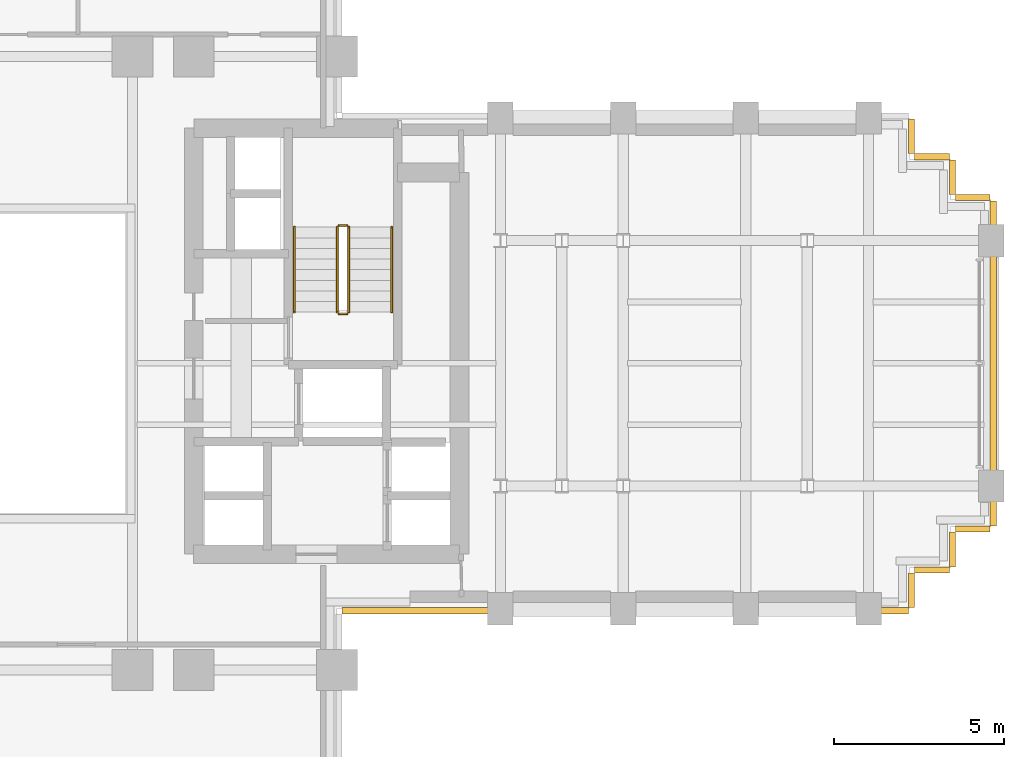
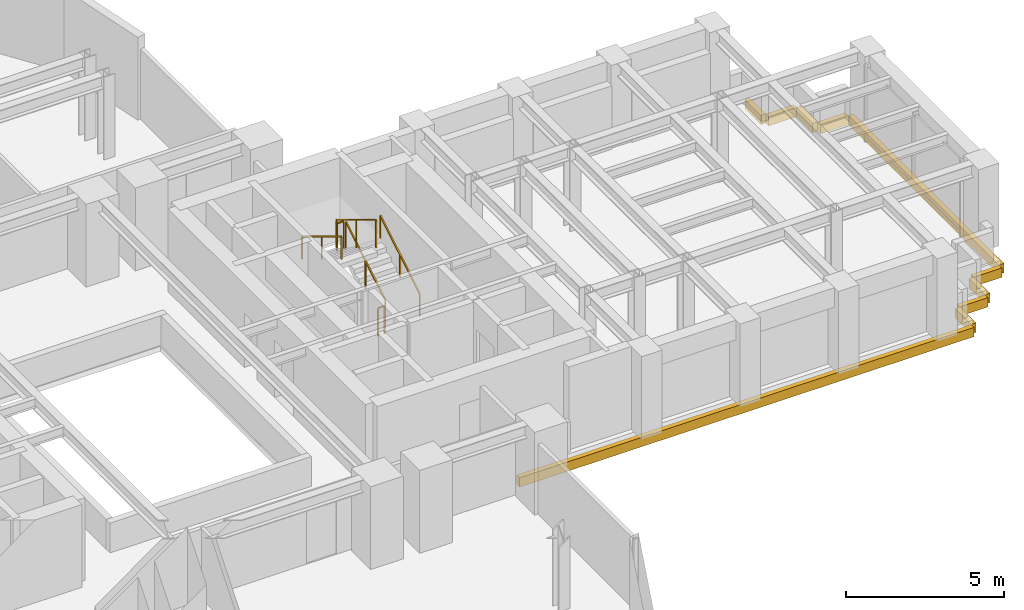
# One storey, part 15 of 16: 10 coverings, 6 railings.
"""IFC4 building model written with IfcOpenShell, lengths in metres."""

from ifc_helpers import new_model, si_unit, direction, frame, origin, origin_2d, place, context, subcontext, project, spatial, rectangle, extrude, source, transform, mapped, material, layer, layer_set, type_object, element, save


model = new_model("IFC4")

# Units and contexts
model_context = context("Model", 3, precision=1e-05, world=origin(), true_north=direction((0.0, 1.0)))
body_context = subcontext(model_context, "Body", "Model", "MODEL_VIEW")
ifc_project = project(units=[si_unit("LENGTHUNIT", "METRE"), si_unit("AREAUNIT", "SQUARE_METRE"), si_unit("VOLUMEUNIT", "CUBIC_METRE"), si_unit("PLANEANGLEUNIT", "RADIAN"), si_unit("MASSUNIT", "GRAM", prefix="KILO")], contexts=[model_context])

# Site, building, storey
site_placement = place(None, origin())
site = spatial("IfcSite", under=ifc_project, at=site_placement, CompositionType="ELEMENT")
building_placement = place(site_placement, origin())
building = spatial("IfcBuilding", under=site, at=building_placement, Name="Keilestroom Media Tower", CompositionType="ELEMENT")
storey_placement = place(building_placement, frame((0.0, 0.0, 34.0)))
storey = spatial("IfcBuildingStorey", under=building, at=storey_placement, Name="L07", CompositionType="ELEMENT", Elevation=34.0)

# Railings
ifc_material_1 = material(Name="Brushed Stainless Steel 1.4301", Category="steel")
railing_type_1 = type_object("IfcRailingType", Name="Stair-Pitch-Handrail-920", PredefinedType="HANDRAIL", material=ifc_material_1)
railing_1_placement = place(storey_placement, frame((11.2099609375, 1.5, 0.18896484375)))
element("IfcRailing", 1, at=railing_1_placement, inside=storey, type_object=railing_type_1, Name="L07 ST-2 stair handrail 1", PredefinedType="HANDRAIL", context=body_context, shape_type="SweptSolid", body=[
    extrude(rectangle(XDim=0.048095703125, YDim=0.048095703125, at=origin_2d()), frame((0.0, 0.0, 0.8759765625), z_axis=(0.0, 0.855470815493, 0.517851024754), x_axis=(-1.0, 0.0, 0.0)), (0.0, 0.0, 1.0), 2.917724609375),
    extrude(rectangle(XDim=0.0419921875, YDim=0.0419921875, at=origin_2d()), origin(), (0.0, 0.0, 1.0), 0.84375),
    extrude(rectangle(XDim=0.0419921875, YDim=0.0419921875, at=origin_2d()), frame((0.0, 1.248046875, 0.75537109375)), (0.0, 0.0, 1.0), 0.84375),
    extrude(rectangle(XDim=0.0419921875, YDim=0.0419921875, at=origin_2d()), frame((0.0, 2.49609375, 1.510986328125)), (0.0, 0.0, 1.0), 0.84375),
])
railing_2_placement = place(storey_placement, frame((8.35009765625, 3.99609375, 1.888916015625)))
element("IfcRailing", 2, at=railing_2_placement, inside=storey, type_object=railing_type_1, Name="L07 ST-2 stair handrail 2", PredefinedType="HANDRAIL", context=body_context, shape_type="SweptSolid", body=[
    extrude(rectangle(XDim=0.048095703125, YDim=0.048095703125, at=origin_2d()), frame((0.0, 0.0, 0.8759765625), z_axis=(0.0, -0.855470815493, 0.517851024754), x_axis=(1.0, 0.0, 0.0)), (0.0, 0.0, 1.0), 2.917724609375),
    extrude(rectangle(XDim=0.0419921875, YDim=0.0419921875, at=origin_2d()), origin(), (0.0, 0.0, 1.0), 0.84375),
    extrude(rectangle(XDim=0.0419921875, YDim=0.0419921875, at=origin_2d()), frame((0.0, -1.248046875, 0.75537109375)), (0.0, 0.0, 1.0), 0.84375),
    extrude(rectangle(XDim=0.0419921875, YDim=0.0419921875, at=origin_2d()), frame((0.0, -2.49609375, 1.510986328125)), (0.0, 0.0, 1.0), 0.84375),
])
ifc_material_2 = material(Name="Painted Steel Balustrade", Category="steel")
railing_type_2 = type_object("IfcRailingType", Name="Stair-Well-And-Landing-Guard-1100", PredefinedType="GUARDRAIL", material=ifc_material_2)
railing_3_placement = place(storey_placement, frame((9.949951171875, 1.5, 0.18896484375)))
element("IfcRailing", 3, at=railing_3_placement, inside=storey, type_object=railing_type_2, Name="L07 ST-2 stair guard 1", PredefinedType="GUARDRAIL", context=body_context, shape_type="SweptSolid", body=[
    extrude(rectangle(XDim=0.048095703125, YDim=0.048095703125, at=origin_2d()), frame((0.0, 0.0, 1.076171875), z_axis=(0.0, 0.855470815493, 0.517851024754), x_axis=(-1.0, 0.0, 0.0)), (0.0, 0.0, 1.0), 2.917724609375),
    extrude(rectangle(XDim=0.0419921875, YDim=0.0419921875, at=origin_2d()), origin(), (0.0, 0.0, 1.0), 1.0439453125),
    extrude(rectangle(XDim=0.0419921875, YDim=0.0419921875, at=origin_2d()), frame((0.0, 1.248046875, 0.75537109375)), (0.0, 0.0, 1.0), 1.0439453125),
    extrude(rectangle(XDim=0.0419921875, YDim=0.0419921875, at=origin_2d()), frame((0.0, 2.49609375, 1.510986328125)), (0.0, 0.0, 1.0), 1.0439453125),
])
railing_4_placement = place(storey_placement, frame((9.89990234375, 4.0458984375, 1.699951171875)))
element("IfcRailing", 4, at=railing_4_placement, inside=storey, type_object=railing_type_2, Name="L07 ST-2 stair guard 2", PredefinedType="GUARDRAIL", context=body_context, shape_type="SweptSolid", body=[
    extrude(rectangle(XDim=0.048095703125, YDim=0.048095703125, at=origin_2d()), frame((0.0, 0.0, 1.076171875), z_axis=(-1.0, 0.0, 0.0), x_axis=(0.0, -1.0, 0.0)), (0.0, 0.0, 1.0), 0.239990234375),
    extrude(rectangle(XDim=0.0419921875, YDim=0.0419921875, at=origin_2d()), origin(), (0.0, 0.0, 1.0), 1.0439453125),
    extrude(rectangle(XDim=0.0419921875, YDim=0.0419921875, at=origin_2d()), frame((-0.239990234375, 0.0, 0.0)), (0.0, 0.0, 1.0), 1.0439453125),
])
railing_5_placement = place(storey_placement, frame((9.610107421875, 3.99609375, 1.888916015625)))
element("IfcRailing", 5, at=railing_5_placement, inside=storey, type_object=railing_type_2, Name="L07 ST-2 stair guard 3", PredefinedType="GUARDRAIL", context=body_context, shape_type="SweptSolid", body=[
    extrude(rectangle(XDim=0.048095703125, YDim=0.048095703125, at=origin_2d()), frame((0.0, 0.0, 1.076171875), z_axis=(0.0, -0.855470815493, 0.517851024754), x_axis=(1.0, 0.0, 0.0)), (0.0, 0.0, 1.0), 2.917724609375),
    extrude(rectangle(XDim=0.0419921875, YDim=0.0419921875, at=origin_2d()), origin(), (0.0, 0.0, 1.0), 1.0439453125),
    extrude(rectangle(XDim=0.0419921875, YDim=0.0419921875, at=origin_2d()), frame((0.0, -1.248046875, 0.75537109375)), (0.0, 0.0, 1.0), 1.0439453125),
    extrude(rectangle(XDim=0.0419921875, YDim=0.0419921875, at=origin_2d()), frame((0.0, -2.49609375, 1.510986328125)), (0.0, 0.0, 1.0), 1.0439453125),
])
railing_6_placement = place(storey_placement, frame((9.89990234375, 1.449951171875, 0.0)))
element("IfcRailing", 6, at=railing_6_placement, inside=storey, type_object=railing_type_2, Name="L07 ST-2 stair guard 4", PredefinedType="GUARDRAIL", context=body_context, shape_type="SweptSolid", body=[
    extrude(rectangle(XDim=0.048095703125, YDim=0.048095703125, at=origin_2d()), frame((0.0, 0.0, 1.076171875), z_axis=(-1.0, 0.0, 0.0), x_axis=(0.0, -1.0, 0.0)), (0.0, 0.0, 1.0), 0.239990234375),
    extrude(rectangle(XDim=0.0419921875, YDim=0.0419921875, at=origin_2d()), origin(), (0.0, 0.0, 1.0), 1.0439453125),
    extrude(rectangle(XDim=0.0419921875, YDim=0.0419921875, at=origin_2d()), frame((-0.239990234375, 0.0, 0.0)), (0.0, 0.0, 1.0), 1.0439453125),
])

# Coverings
ifc_material_3 = material(Name="Precast concrete C40/50", Category="concrete")
ifc_layer = layer(ifc_material_3, 0.1201171875)
ifc_layer_set = layer_set([ifc_layer], Name="Precast concrete C40/50")
covering_type = type_object("IfcCoveringType", Name="Exterior-Precast-Spandrel-Cladding-Panel-120", PredefinedType="CLADDING", material=ifc_layer_set)
shared_shape_1 = source(origin(), body_context, "Body", "SweptSolid", [
    extrude(rectangle(XDim=1.02001953125, YDim=0.179931640625, at=origin_2d()), origin(), (0.0, 0.0, 1.0), 0.360107421875),
])
for number, where, z_axis, x_axis, name in (
    (7, (28.260009765625, -4.860107421875, -0.5400390625), (0.0, 0.0, 1.0), (-1.0, 0.0, 0.0), "L07 Precast Slab-Edge Fascia Cornice 01"),
    (8, (27.659912109375, -5.4599609375, -0.5400390625), (0.0, 0.0, 1.0), (0.0, -1.0, 0.0), "L07 Precast Slab-Edge Fascia Cornice 02"),
    (9, (27.06005859375, -6.06005859375, -0.5400390625), (0.0, 0.0, 1.0), (-1.0, 0.0, 0.0), "L07 Precast Slab-Edge Fascia Cornice 03"),
    (10, (26.4599609375, -6.659912109375, -0.5400390625), (0.0, 0.0, 1.0), (0.0, -1.0, 0.0), "L07 Precast Slab-Edge Fascia Cornice 04"),
    (11, (26.4599609375, 6.659912109375, -0.5400390625), (0.0, 0.0, 1.0), (0.0, -1.0, 0.0), "L07 Precast Slab-Edge Fascia Cornice 38"),
    (12, (27.06005859375, 6.06005859375, -0.5400390625), (0.0, 0.0, 1.0), (1.0, 0.0, 0.0), "L07 Precast Slab-Edge Fascia Cornice 39"),
    (13, (27.659912109375, 5.4599609375, -0.5400390625), (0.0, 0.0, 1.0), (0.0, -1.0, 0.0), "L07 Precast Slab-Edge Fascia Cornice 40"),
    (14, (28.260009765625, 4.860107421875, -0.5400390625), (0.0, 0.0, 1.0), (1.0, 0.0, 0.0), "L07 Precast Slab-Edge Fascia Cornice 41"),
):
    element("IfcCovering", number, at=place(storey_placement, frame(where, z_axis=z_axis, x_axis=x_axis)), inside=storey, type_object=covering_type, Name=name, PredefinedType="CLADDING", context=body_context, shape_type="MappedRepresentation", body=[
        mapped(shared_shape_1, transform((0.0, 0.0, 0.0), x_axis=(1.0, 0.0, 0.0), y_axis=(0.0, 1.0, 0.0), z_axis=(0.0, 0.0, 1.0), scale=1.0)),
    ])
shared_shape_2 = source(origin(), body_context, "Body", "SweptSolid", [
    extrude(rectangle(XDim=16.6201171875, YDim=0.179931640625, at=origin_2d()), origin(), (0.0, 0.0, 1.0), 0.360107421875),
])
covering_1_placement = place(storey_placement, frame((18.06005859375, -7.260009765625, -0.5400390625), z_axis=(0.0, 0.0, 1.0), x_axis=(-1.0, 0.0, 0.0)))
element("IfcCovering", 15, at=covering_1_placement, inside=storey, type_object=covering_type, Name="L07 Precast Slab-Edge Fascia Cornice 05", PredefinedType="CLADDING", context=body_context, shape_type="MappedRepresentation", body=[
    mapped(shared_shape_2, transform((0.0, 0.0, 0.0), x_axis=(1.0, 0.0, 0.0), y_axis=(0.0, 1.0, 0.0), z_axis=(0.0, 0.0, 1.0), scale=1.0)),
])
shared_shape_3 = source(origin(), body_context, "Body", "SweptSolid", [
    extrude(rectangle(XDim=9.5400390625, YDim=0.179931640625, at=origin_2d()), origin(), (0.0, 0.0, 1.0), 0.360107421875),
])
covering_2_placement = place(storey_placement, frame((28.860107421875, 0.0, -0.5400390625), z_axis=(0.0, 0.0, 1.0), x_axis=(0.0, -1.0, 0.0)))
element("IfcCovering", 16, at=covering_2_placement, inside=storey, type_object=covering_type, Name="L07 Precast Slab-Edge Fascia Cornice 42", PredefinedType="CLADDING", context=body_context, shape_type="MappedRepresentation", body=[
    mapped(shared_shape_3, transform((0.0, 0.0, 0.0), x_axis=(1.0, 0.0, 0.0), y_axis=(0.0, 1.0, 0.0), z_axis=(0.0, 0.0, 1.0), scale=1.0)),
])

save(model, "model.ifc")
